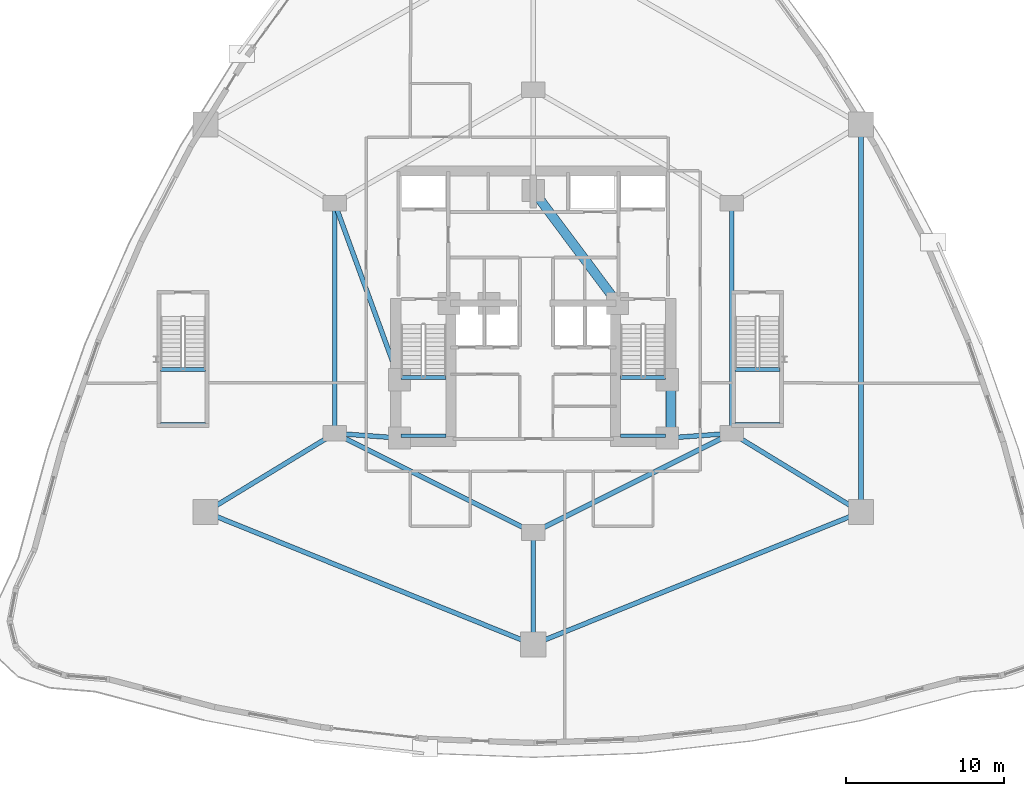
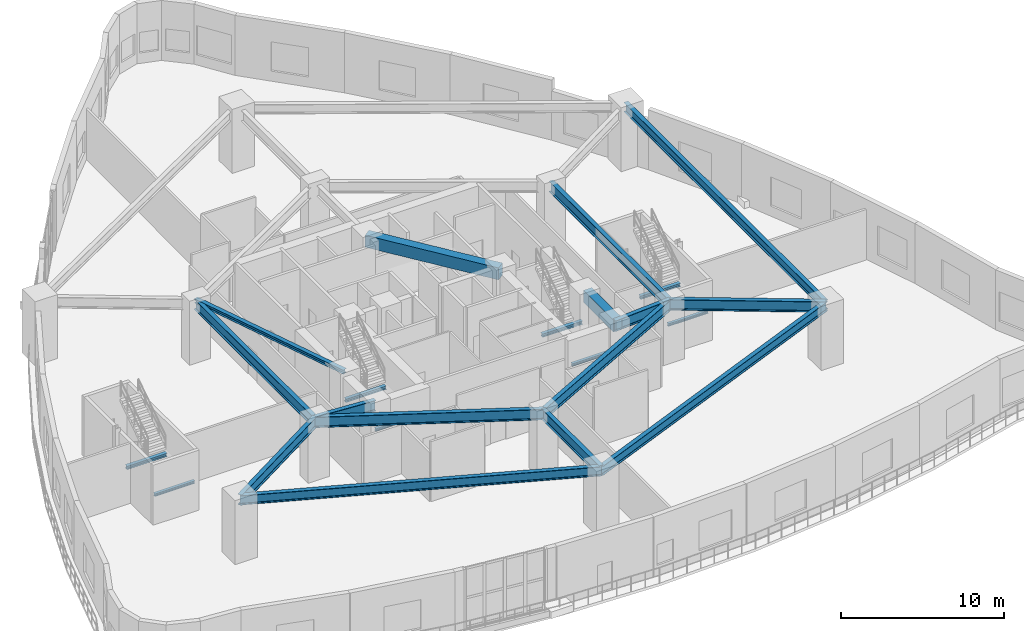
# One storey, part 5 of 23: 23 beams.
"""IFC4 building model written with IfcOpenShell, lengths in metres."""

from ifc_helpers import new_model, si_unit, direction, frame, origin, origin_2d, place, context, subcontext, project, spatial, rectangle, i_section, extrude, material, material_profile, profile_set, type_object, element, save


model = new_model("IFC4")

# Units and contexts
model_context = context("Model", 3, precision=1e-05, world=origin(), true_north=direction((0.0, 1.0)))
body_context = subcontext(model_context, "Body", "Model", "MODEL_VIEW")
ifc_project = project(units=[si_unit("LENGTHUNIT", "METRE"), si_unit("AREAUNIT", "SQUARE_METRE"), si_unit("VOLUMEUNIT", "CUBIC_METRE"), si_unit("PLANEANGLEUNIT", "RADIAN"), si_unit("MASSUNIT", "GRAM", prefix="KILO")], contexts=[model_context])

# Site, building, storey
site_placement = place(None, origin())
site = spatial("IfcSite", under=ifc_project, at=site_placement, CompositionType="ELEMENT")
building_placement = place(site_placement, origin())
building = spatial("IfcBuilding", under=site, at=building_placement, Name="Miruveldt Soraemaru", CompositionType="ELEMENT")
storey_placement = place(building_placement, frame((0.0, 0.0, 14.39990234375)))
storey = spatial("IfcBuildingStorey", under=building, at=storey_placement, Name="L04", CompositionType="ELEMENT", Elevation=14.39990234375)

# Beams
ifc_material_1 = material(Name="Steel SM355 (355 MPa)", Category="steel")
ifc_material_profile_1 = material_profile(ifc_material_1, i_section(OverallWidth=0.300048828125, OverallDepth=0.300048828125, WebThickness=0.010009765625, FlangeThickness=0.014892578125, FilletRadius=0.01806640625, at=origin_2d()), Name="Steel SM355 (355 MPa)", Category="steel")
ifc_profile_set_1 = profile_set([ifc_material_profile_1], Name="Steel SM355 (355 MPa)")
beam_type_1 = type_object("IfcBeamType", Name="BM-LNT-H300", PredefinedType="LINTEL", material=ifc_profile_set_1)
beam_1_placement = place(storey_placement, frame((31.39990234375, 50.39990234375, 4.35009765625), z_axis=(0.343770424598, -0.939053723262, 0.0), x_axis=(0.939053723262, 0.343770424598, 0.0)))
element("IfcBeam", 1, at=beam_1_placement, inside=storey, type_object=beam_type_1, Name="L04 West Lobby Lintel", PredefinedType="LINTEL", context=body_context, shape_type="SweptSolid", body=[
    extrude(i_section(OverallWidth=0.300048828125, OverallDepth=0.300048828125, WebThickness=0.010009765625, FlangeThickness=0.014892578125, FilletRadius=0.01806640625, at=origin_2d()), origin(), (0.0, 0.0, 1.0), 11.9267578125),
])
ifc_material_2 = material(Name="Concrete C60/75 (60 MPa)", Category="concrete")
ifc_material_profile_2 = material_profile(ifc_material_2, rectangle(XDim=0.60009765625, YDim=0.89990234375, at=origin_2d()), Name="Concrete C60/75 (60 MPa)", Category="concrete")
ifc_profile_set_2 = profile_set([ifc_material_profile_2], Name="Concrete C60/75 (60 MPa)")
beam_type_2 = type_object("IfcBeamType", Name="BM-RC-600x900", PredefinedType="BEAM", material=ifc_profile_set_2)
beam_2_placement = place(storey_placement, frame((52.72998046875, 35.5, 4.050048828125), z_axis=(0.0, 1.0, 0.0), x_axis=(-1.0, 0.0, 0.0)))
element("IfcBeam", 2, at=beam_2_placement, inside=storey, type_object=beam_type_2, Name="L04 Core Tie Beam 3", PredefinedType="BEAM", context=body_context, shape_type="SweptSolid", body=[
    extrude(rectangle(XDim=0.60009765625, YDim=0.89990234375, at=origin_2d()), origin(), (0.0, 0.0, 1.0), 3.699951171875),
])
beam_3_placement = place(storey_placement, frame((49.35009765625, 44.050048828125, 4.050048828125), z_axis=(-0.599116023999, 0.800662219533, 0.0), x_axis=(-0.800662219533, -0.599116023999, 0.0)))
element("IfcBeam", 3, at=beam_3_placement, inside=storey, type_object=beam_type_2, Name="L04 Core Tie Beam 5", PredefinedType="BEAM", context=body_context, shape_type="SweptSolid", body=[
    extrude(rectangle(XDim=0.60009765625, YDim=0.89990234375, at=origin_2d()), origin(), (0.0, 0.0, 1.0), 8.929931640625),
])
ifc_material_profile_3 = material_profile(ifc_material_1, i_section(OverallWidth=0.300048828125, OverallDepth=0.699951171875, WebThickness=0.012939453125, FlangeThickness=0.02392578125, FilletRadius=0.028076171875, at=origin_2d()), Name="Steel SM355 (355 MPa)", Category="steel")
ifc_profile_set_3 = profile_set([ifc_material_profile_3], Name="Steel SM355 (355 MPa)")
beam_type_3 = type_object("IfcBeamType", Name="BM-ST-H700", PredefinedType="BEAM", material=ifc_profile_set_3)
beam_4_placement = place(storey_placement, frame((64.800048828125, 55.39990234375, 4.150146484375), z_axis=(0.0, -1.0, 0.0), x_axis=(1.0, 0.0, 0.0)))
element("IfcBeam", 4, at=beam_4_placement, inside=storey, type_object=beam_type_3, Name="L04 Podium Ring Girder 2", PredefinedType="BEAM", context=body_context, shape_type="SweptSolid", body=[
    extrude(i_section(OverallWidth=0.300048828125, OverallDepth=0.699951171875, WebThickness=0.012939453125, FlangeThickness=0.02392578125, FilletRadius=0.028076171875, at=origin_2d()), origin(), (0.0, 0.0, 1.0), 24.599853515625),
])
for number, where, z_axis, x_axis, name in (
    (5, (64.800048828125, 30.800048828125, 4.150146484375), (-0.927239874954, -0.374467908231, 0.0), (0.374467908231, -0.927239874954, 0.0), "L04 Podium Ring Girder 3"),
    (6, (44.0, 22.39990234375, 4.150146484375), (-0.927239874954, 0.374467908231, 0.0), (-0.374467908231, -0.927239874954, 0.0), "L04 Podium Ring Girder 4"),
):
    element("IfcBeam", number, at=place(storey_placement, frame(where, z_axis=z_axis, x_axis=x_axis)), inside=storey, type_object=beam_type_3, Name=name, PredefinedType="BEAM", context=body_context, shape_type="SweptSolid", body=[
        extrude(i_section(OverallWidth=0.300048828125, OverallDepth=0.699951171875, WebThickness=0.012939453125, FlangeThickness=0.02392578125, FilletRadius=0.028076171875, at=origin_2d()), origin(), (0.0, 0.0, 1.0), 22.43212890625),
    ])
ifc_material_3 = material(Name="Steel S460 (460 MPa)", Category="steel")
ifc_material_profile_4 = material_profile(ifc_material_3, i_section(OverallWidth=0.300048828125, OverallDepth=0.800048828125, WebThickness=0.013916015625, FlangeThickness=0.02587890625, FilletRadius=0.028076171875, at=origin_2d()), Name="Steel S460 (460 MPa)", Category="steel")
ifc_profile_set_4 = profile_set([ifc_material_profile_4], Name="Steel S460 (460 MPa)")
beam_type_4 = type_object("IfcBeamType", Name="BM-ST-H800", PredefinedType="BEAM", material=ifc_profile_set_4)
beam_5_placement = place(storey_placement, frame((56.60009765625, 50.39990234375, 4.10009765625), z_axis=(0.0, -1.0, 0.0), x_axis=(1.0, 0.0, 0.0)))
element("IfcBeam", 7, at=beam_5_placement, inside=storey, type_object=beam_type_4, Name="L04 Inner Ring Girder 2", PredefinedType="BEAM", context=body_context, shape_type="SweptSolid", body=[
    extrude(i_section(OverallWidth=0.300048828125, OverallDepth=0.800048828125, WebThickness=0.013916015625, FlangeThickness=0.02587890625, FilletRadius=0.028076171875, at=origin_2d()), origin(), (0.0, 0.0, 1.0), 14.599853515625),
])
beam_6_placement = place(storey_placement, frame((56.60009765625, 35.800048828125, 4.10009765625), z_axis=(-0.894427191, -0.4472135955, 0.0), x_axis=(0.4472135955, -0.894427191, 0.0)))
element("IfcBeam", 8, at=beam_6_placement, inside=storey, type_object=beam_type_4, Name="L04 Inner Ring Girder 3", PredefinedType="BEAM", context=body_context, shape_type="SweptSolid", body=[
    extrude(i_section(OverallWidth=0.300048828125, OverallDepth=0.800048828125, WebThickness=0.013916015625, FlangeThickness=0.02587890625, FilletRadius=0.028076171875, at=origin_2d()), origin(), (0.0, 0.0, 1.0), 14.08740234375),
])
beam_7_placement = place(storey_placement, frame((52.5, 35.5, 4.10009765625), z_axis=(0.997332985605, 0.072985723431, 0.0), x_axis=(-0.072985723431, 0.997332985605, 0.0)))
element("IfcBeam", 9, at=beam_7_placement, inside=storey, type_object=beam_type_4, Name="L04 Core-to-Inner Radial Girder 3", PredefinedType="BEAM", context=body_context, shape_type="SweptSolid", body=[
    extrude(i_section(OverallWidth=0.300048828125, OverallDepth=0.800048828125, WebThickness=0.013916015625, FlangeThickness=0.02587890625, FilletRadius=0.028076171875, at=origin_2d()), origin(), (0.0, 0.0, 1.0), 4.111083984375),
])
beam_8_placement = place(storey_placement, frame((44.0, 29.5, 4.10009765625), z_axis=(-0.894427191, 0.4472135955, 0.0), x_axis=(-0.4472135955, -0.894427191, 0.0)))
element("IfcBeam", 10, at=beam_8_placement, inside=storey, type_object=beam_type_4, Name="L04 Inner Ring Girder 4", PredefinedType="BEAM", context=body_context, shape_type="SweptSolid", body=[
    extrude(i_section(OverallWidth=0.300048828125, OverallDepth=0.800048828125, WebThickness=0.013916015625, FlangeThickness=0.02587890625, FilletRadius=0.028076171875, at=origin_2d()), origin(), (0.0, 0.0, 1.0), 14.08740234375),
])
beam_9_placement = place(storey_placement, frame((31.39990234375, 35.800048828125, 4.10009765625), z_axis=(0.0, 1.0, 0.0), x_axis=(-1.0, 0.0, 0.0)))
element("IfcBeam", 11, at=beam_9_placement, inside=storey, type_object=beam_type_4, Name="L04 Inner Ring Girder 5", PredefinedType="BEAM", context=body_context, shape_type="SweptSolid", body=[
    extrude(i_section(OverallWidth=0.300048828125, OverallDepth=0.800048828125, WebThickness=0.013916015625, FlangeThickness=0.02587890625, FilletRadius=0.028076171875, at=origin_2d()), origin(), (0.0, 0.0, 1.0), 14.599853515625),
])
beam_10_placement = place(storey_placement, frame((35.5, 35.5, 4.10009765625), z_axis=(-0.997332985605, 0.072985723431, 0.0), x_axis=(-0.072985723431, -0.997332985605, 0.0)))
element("IfcBeam", 12, at=beam_10_placement, inside=storey, type_object=beam_type_4, Name="L04 Core-to-Inner Radial Girder 5", PredefinedType="BEAM", context=body_context, shape_type="SweptSolid", body=[
    extrude(i_section(OverallWidth=0.300048828125, OverallDepth=0.800048828125, WebThickness=0.013916015625, FlangeThickness=0.02587890625, FilletRadius=0.028076171875, at=origin_2d()), origin(), (0.0, 0.0, 1.0), 4.111083984375),
])
beam_11_placement = place(storey_placement, frame((56.60009765625, 35.800048828125, 4.10009765625), z_axis=(0.853794797843, -0.520609684098, 0.0), x_axis=(0.520609684098, 0.853794797843, 0.0)))
element("IfcBeam", 13, at=beam_11_placement, inside=storey, type_object=beam_type_4, Name="L04 Podium Radial Girder 3", PredefinedType="BEAM", context=body_context, shape_type="SweptSolid", body=[
    extrude(i_section(OverallWidth=0.300048828125, OverallDepth=0.800048828125, WebThickness=0.013916015625, FlangeThickness=0.02587890625, FilletRadius=0.028076171875, at=origin_2d()), origin(), (0.0, 0.0, 1.0), 9.60400390625),
])
beam_12_placement = place(storey_placement, frame((44.0, 29.5, 4.10009765625), z_axis=(0.0, -1.0, 0.0), x_axis=(1.0, 0.0, 0.0)))
element("IfcBeam", 14, at=beam_12_placement, inside=storey, type_object=beam_type_4, Name="L04 Podium Radial Girder 4", PredefinedType="BEAM", context=body_context, shape_type="SweptSolid", body=[
    extrude(i_section(OverallWidth=0.300048828125, OverallDepth=0.800048828125, WebThickness=0.013916015625, FlangeThickness=0.02587890625, FilletRadius=0.028076171875, at=origin_2d()), origin(), (0.0, 0.0, 1.0), 7.10009765625),
])
beam_13_placement = place(storey_placement, frame((31.39990234375, 35.800048828125, 4.10009765625), z_axis=(-0.853794797843, -0.520609684098, 0.0), x_axis=(0.520609684098, -0.853794797843, 0.0)))
element("IfcBeam", 15, at=beam_13_placement, inside=storey, type_object=beam_type_4, Name="L04 Podium Radial Girder 5", PredefinedType="BEAM", context=body_context, shape_type="SweptSolid", body=[
    extrude(i_section(OverallWidth=0.300048828125, OverallDepth=0.800048828125, WebThickness=0.013916015625, FlangeThickness=0.02587890625, FilletRadius=0.028076171875, at=origin_2d()), origin(), (0.0, 0.0, 1.0), 9.60400390625),
])
ifc_material_profile_5 = material_profile(ifc_material_1, i_section(OverallWidth=0.199951171875, OverallDepth=0.199951171875, WebThickness=0.008056640625, FlangeThickness=0.011962890625, FilletRadius=0.012939453125, at=origin_2d()), Name="Steel SM355 (355 MPa)", Category="steel")
ifc_profile_set_5 = profile_set([ifc_material_profile_5], Name="Steel SM355 (355 MPa)")
beam_type_5 = type_object("IfcBeamType", Name="BM-ST-LND200", PredefinedType="BEAM", material=ifc_profile_set_5)
for number, where, z_axis, x_axis, name in (
    (16, (35.60009765625, 35.64990234375, 2.10009765625), (1.0, 0.0, 0.0), (0.0, 1.0, 0.0), "L04 ST1 Landing End Beam 1B"),
    (17, (49.550048828125, 35.64990234375, 2.10009765625), (1.0, 0.0, 0.0), (0.0, 1.0, 0.0), "L04 ST2 Landing End Beam 1B"),
    (18, (20.35009765625, 36.39990234375, 2.10009765625), (1.0, 0.0, 0.0), (0.0, 1.0, 0.0), "L04 ST3 Landing End Beam 1B"),
    (19, (56.800048828125, 36.39990234375, 2.10009765625), (1.0, 0.0, 0.0), (0.0, 1.0, 0.0), "L04 ST4 Landing End Beam 1B"),
):
    element("IfcBeam", number, at=place(storey_placement, frame(where, z_axis=z_axis, x_axis=x_axis)), inside=storey, type_object=beam_type_5, Name=name, PredefinedType="BEAM", context=body_context, shape_type="SweptSolid", body=[
        extrude(i_section(OverallWidth=0.199951171875, OverallDepth=0.199951171875, WebThickness=0.008056640625, FlangeThickness=0.011962890625, FilletRadius=0.012939453125, at=origin_2d()), origin(), (0.0, 0.0, 1.0), 2.849853515625),
    ])
ifc_material_profile_6 = material_profile(ifc_material_1, i_section(OverallWidth=0.25, OverallDepth=0.25, WebThickness=0.009033203125, FlangeThickness=0.013916015625, FilletRadius=0.01611328125, at=origin_2d()), Name="Steel SM355 (355 MPa)", Category="steel")
ifc_profile_set_6 = profile_set([ifc_material_profile_6], Name="Steel SM355 (355 MPa)")
beam_type_6 = type_object("IfcBeamType", Name="BM-ST-LND250", PredefinedType="BEAM", material=ifc_profile_set_6)
for number, where, z_axis, x_axis, name in (
    (20, (35.60009765625, 39.340087890625, 2.0751953125), (1.0, 0.0, 0.0), (0.0, 1.0, 0.0), "L04 ST1 Landing Support Beam 1A"),
    (21, (49.550048828125, 39.340087890625, 2.0751953125), (1.0, 0.0, 0.0), (0.0, 1.0, 0.0), "L04 ST2 Landing Support Beam 1A"),
    (22, (20.35009765625, 39.840087890625, 2.0751953125), (1.0, 0.0, 0.0), (0.0, 1.0, 0.0), "L04 ST3 Landing Support Beam 1A"),
    (23, (56.800048828125, 39.840087890625, 2.0751953125), (1.0, 0.0, 0.0), (0.0, 1.0, 0.0), "L04 ST4 Landing Support Beam 1A"),
):
    element("IfcBeam", number, at=place(storey_placement, frame(where, z_axis=z_axis, x_axis=x_axis)), inside=storey, type_object=beam_type_6, Name=name, PredefinedType="BEAM", context=body_context, shape_type="SweptSolid", body=[
        extrude(i_section(OverallWidth=0.25, OverallDepth=0.25, WebThickness=0.009033203125, FlangeThickness=0.013916015625, FilletRadius=0.01611328125, at=origin_2d()), origin(), (0.0, 0.0, 1.0), 2.849853515625),
    ])

save(model, "model.ifc")
